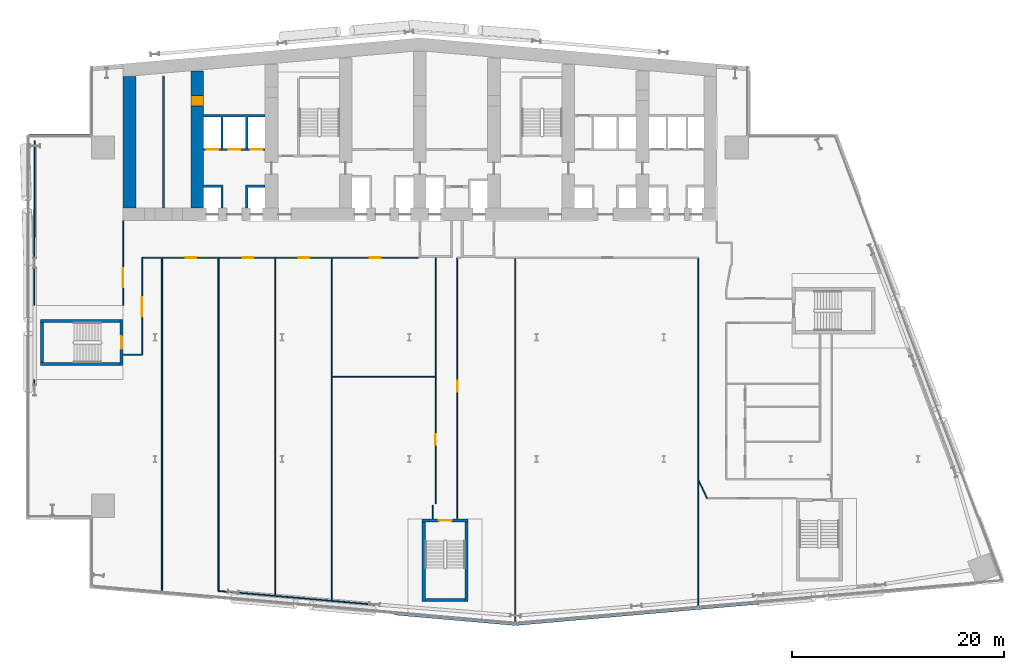
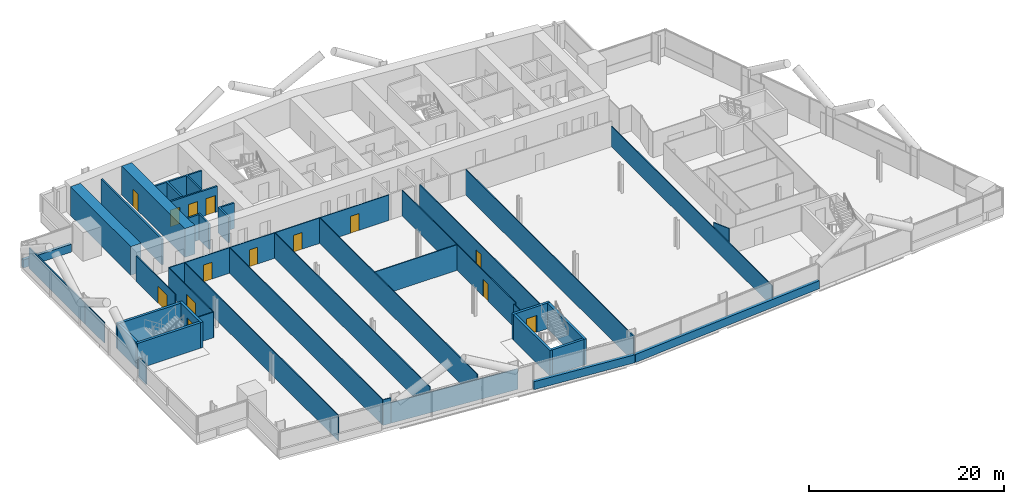
# One storey, part 13 of 24: 38 walls, 14 doors, 14 openings.
"""IFC4 building model written with IfcOpenShell, lengths in metres."""

from ifc_helpers import new_model, si_unit, direction, frame, frame_2d, origin, place, context, subcontext, project, spatial, polyline, rectangle, outline, extrude, material, layer, layer_set, type_object, element, fill, save


model = new_model("IFC4")

# Units and contexts
model_context = context("Model", 3, precision=1e-05, world=origin(), true_north=direction((0.0, 1.0)))
body_context = subcontext(model_context, "Body", "Model", "MODEL_VIEW")
ifc_project = project(units=[si_unit("LENGTHUNIT", "METRE"), si_unit("AREAUNIT", "SQUARE_METRE"), si_unit("VOLUMEUNIT", "CUBIC_METRE"), si_unit("PLANEANGLEUNIT", "RADIAN"), si_unit("MASSUNIT", "GRAM", prefix="KILO")], contexts=[model_context])

# Site, building, storey
site_placement = place(None, origin())
site = spatial("IfcSite", under=ifc_project, at=site_placement, CompositionType="ELEMENT")
building_placement = place(site_placement, origin())
building = spatial("IfcBuilding", under=site, at=building_placement, Name="Wharfspan Tower", CompositionType="ELEMENT")
storey_placement = place(building_placement, frame((0.0, 0.0, 66.699951)))
storey = spatial("IfcBuildingStorey", under=building, at=storey_placement, Name="L13", CompositionType="ELEMENT", Elevation=66.699951)

# Wall, opening, door
ifc_material_1 = material(Name="Gypsum board on steel studs", Category="steel")
ifc_layer_1 = layer(ifc_material_1, 0.100098)
ifc_layer_set_1 = layer_set([ifc_layer_1], Name="Gypsum board on steel studs")
wall_type_1 = type_object("IfcWallType", Name="Compartment wall 100 EI 60", PredefinedType="PARTITIONING", material=ifc_layer_set_1)
wall_1_placement = place(storey_placement, frame((9.0, 26.02002, 0.0), z_axis=(0.0, 0.0, 1.0), x_axis=(0.0, 1.0, 0.0)))
wall_1 = element("IfcWall", 1, at=wall_1_placement, inside=storey, type_object=wall_type_1, Name="Partition L13.w004", PredefinedType="PARTITIONING", context=body_context, shape_type="SweptSolid", body=[
    extrude(rectangle(XDim=7.959961, YDim=0.100098, at=frame_2d((3.97998, 0.0))), origin(), (0.0, 0.0, 1.0), 3.199951),
])
opening_1_placement = place(wall_1_placement, frame((1.699951, 0.0, 0.0)))
opening_1 = element("IfcOpeningElement", 2, at=opening_1_placement, cuts=wall_1, Name="Opening A3-12", PredefinedType="OPENING", context=body_context, shape_type="SweptSolid", body=[
    extrude(rectangle(XDim=1.800049, YDim=2.100098, at=frame_2d((0.899902, 1.050049))), frame((0.0, 0.060059, 0.0), z_axis=(0.0, -1.0, 0.0), x_axis=(1.0, 0.0, 0.0)), (0.0, 0.0, 1.0), 0.120117),
])
ifc_material_2 = material(Name="Fire-rated timber door leaf in steel frame", Category="steel")
door_type_1 = type_object("IfcDoorType", Name="Door 1800 FD30S Double", OperationType="DOUBLE_DOOR_SINGLE_SWING", PredefinedType="DOOR", material=ifc_material_2)
door_1_placement = place(opening_1_placement, origin())
door_1 = element("IfcDoor", 3, at=door_1_placement, inside=storey, type_object=door_type_1, Name="Door A3-12", OperationType="DOUBLE_DOOR_SINGLE_SWING", OverallHeight=2.100098, OverallWidth=1.800049, PredefinedType="DOOR", context=body_context, shape_type="SweptSolid", body=[
    extrude(rectangle(XDim=1.800049, YDim=2.100098, at=frame_2d((0.899902, 1.050049))), frame((0.0, 0.024902, 0.0), z_axis=(0.0, -1.0, 0.0), x_axis=(1.0, 0.0, 0.0)), (0.0, 0.0, 1.0), 0.050049),
])
fill(opening_1, door_1)

# Wall
wall_2_placement = place(storey_placement, frame((9.02002, 21.350098, 0.0), z_axis=(0.0, 0.0, 1.0), x_axis=(1.0, 0.0, 0.0)))
element("IfcWall", 4, at=wall_2_placement, inside=storey, type_object=wall_type_1, Name="Partition L13.w005", PredefinedType="PARTITIONING", context=body_context, shape_type="SweptSolid", body=[
    extrude(rectangle(XDim=1.780029, YDim=0.100098, at=frame_2d((0.890137, 0.0))), origin(), (0.0, 0.0, 1.0), 3.199951),
])

# Wall, opening, door
wall_3_placement = place(storey_placement, frame((10.800049, 21.350098, 0.0), z_axis=(0.0, 0.0, 1.0), x_axis=(0.0, 1.0, 0.0)))
wall_3 = element("IfcWall", 5, at=wall_3_placement, inside=storey, type_object=wall_type_1, Name="Partition L13.w006", PredefinedType="PARTITIONING", context=body_context, shape_type="SweptSolid", body=[
    extrude(rectangle(XDim=9.149902, YDim=0.100098, at=frame_2d((4.574951, 0.0))), origin(), (0.0, 0.0, 1.0), 3.199951),
])
opening_2_placement = place(wall_3_placement, frame((3.620117, 0.0, 0.0)))
opening_2 = element("IfcOpeningElement", 6, at=opening_2_placement, cuts=wall_3, Name="Opening A3-10", PredefinedType="OPENING", context=body_context, shape_type="SweptSolid", body=[
    extrude(rectangle(XDim=1.800049, YDim=2.100098, at=frame_2d((0.899902, 1.050049))), frame((0.0, 0.060059, 0.0), z_axis=(0.0, -1.0, 0.0), x_axis=(1.0, 0.0, 0.0)), (0.0, 0.0, 1.0), 0.120117),
])
door_2_placement = place(opening_2_placement, origin())
door_2 = element("IfcDoor", 7, at=door_2_placement, inside=storey, type_object=door_type_1, Name="Door A3-10", OperationType="DOUBLE_DOOR_SINGLE_SWING", OverallHeight=2.100098, OverallWidth=1.800049, PredefinedType="DOOR", context=body_context, shape_type="SweptSolid", body=[
    extrude(rectangle(XDim=1.800049, YDim=2.100098, at=frame_2d((0.899902, 1.050049))), frame((0.0, 0.024902, 0.0), z_axis=(0.0, -1.0, 0.0), x_axis=(1.0, 0.0, 0.0)), (0.0, 0.0, 1.0), 0.050049),
])
fill(opening_2, door_2)

# Wall, openings, doors
wall_4_placement = place(storey_placement, frame((10.800049, 30.5, 0.0), z_axis=(0.0, 0.0, 1.0), x_axis=(1.0, 0.0, 0.0)))
wall_4 = element("IfcWall", 8, at=wall_4_placement, inside=storey, type_object=wall_type_1, Name="Partition L13.w007", PredefinedType="PARTITIONING", context=body_context, shape_type="SweptSolid", body=[
    extrude(rectangle(XDim=26.050049, YDim=0.100098, at=frame_2d((13.024902, 0.0))), origin(), (0.0, 0.0, 1.0), 3.199951),
])
opening_3_placement = place(wall_4_placement, frame((4.090088, 0.0, 0.0)))
opening_3 = element("IfcOpeningElement", 9, at=opening_3_placement, cuts=wall_4, Name="Opening A3-13", PredefinedType="OPENING", context=body_context, shape_type="SweptSolid", body=[
    extrude(rectangle(XDim=1.0, YDim=2.100098, at=frame_2d((0.5, 1.050049))), frame((0.0, 0.060059, 0.0), z_axis=(0.0, -1.0, 0.0), x_axis=(1.0, 0.0, 0.0)), (0.0, 0.0, 1.0), 0.120117),
])
opening_4_placement = place(wall_4_placement, frame((9.5, 0.0, 0.0)))
opening_4 = element("IfcOpeningElement", 10, at=opening_4_placement, cuts=wall_4, Name="Opening A3-14", PredefinedType="OPENING", context=body_context, shape_type="SweptSolid", body=[
    extrude(rectangle(XDim=1.0, YDim=2.100098, at=frame_2d((0.5, 1.050049))), frame((0.0, 0.060059, 0.0), z_axis=(0.0, -1.0, 0.0), x_axis=(1.0, 0.0, 0.0)), (0.0, 0.0, 1.0), 0.120117),
])
opening_5_placement = place(wall_4_placement, frame((14.754883, 0.0, 0.0)))
opening_5 = element("IfcOpeningElement", 11, at=opening_5_placement, cuts=wall_4, Name="Opening A3-15", PredefinedType="OPENING", context=body_context, shape_type="SweptSolid", body=[
    extrude(rectangle(XDim=1.0, YDim=2.100098, at=frame_2d((0.5, 1.050049))), frame((0.0, 0.060059, 0.0), z_axis=(0.0, -1.0, 0.0), x_axis=(1.0, 0.0, 0.0)), (0.0, 0.0, 1.0), 0.120117),
])
opening_6_placement = place(wall_4_placement, frame((21.48999, 0.0, 0.0)))
opening_6 = element("IfcOpeningElement", 12, at=opening_6_placement, cuts=wall_4, Name="Opening A3-16", PredefinedType="OPENING", context=body_context, shape_type="SweptSolid", body=[
    extrude(rectangle(XDim=1.0, YDim=2.100098, at=frame_2d((0.5, 1.050049))), frame((0.0, 0.060059, 0.0), z_axis=(0.0, -1.0, 0.0), x_axis=(1.0, 0.0, 0.0)), (0.0, 0.0, 1.0), 0.120117),
])
door_type_2 = type_object("IfcDoorType", Name="Door 1000 FD30S Left", OperationType="SINGLE_SWING_LEFT", PredefinedType="DOOR", material=ifc_material_2)
door_3_placement = place(opening_3_placement, origin())
door_3 = element("IfcDoor", 13, at=door_3_placement, inside=storey, type_object=door_type_2, Name="Door A3-13", OperationType="SINGLE_SWING_LEFT", OverallHeight=2.100098, OverallWidth=1.0, PredefinedType="DOOR", context=body_context, shape_type="SweptSolid", body=[
    extrude(rectangle(XDim=1.0, YDim=2.100098, at=frame_2d((0.5, 1.050049))), frame((0.0, 0.024902, 0.0), z_axis=(0.0, -1.0, 0.0), x_axis=(1.0, 0.0, 0.0)), (0.0, 0.0, 1.0), 0.050049),
])
fill(opening_3, door_3)
door_4_placement = place(opening_4_placement, origin())
door_4 = element("IfcDoor", 14, at=door_4_placement, inside=storey, type_object=door_type_2, Name="Door A3-14", OperationType="SINGLE_SWING_LEFT", OverallHeight=2.100098, OverallWidth=1.0, PredefinedType="DOOR", context=body_context, shape_type="SweptSolid", body=[
    extrude(rectangle(XDim=1.0, YDim=2.100098, at=frame_2d((0.5, 1.050049))), frame((0.0, 0.024902, 0.0), z_axis=(0.0, -1.0, 0.0), x_axis=(1.0, 0.0, 0.0)), (0.0, 0.0, 1.0), 0.050049),
])
fill(opening_4, door_4)
door_type_3 = type_object("IfcDoorType", Name="Door 1000 FD30S Right", OperationType="SINGLE_SWING_RIGHT", PredefinedType="DOOR", material=ifc_material_2)
door_5_placement = place(opening_5_placement, origin())
door_5 = element("IfcDoor", 15, at=door_5_placement, inside=storey, type_object=door_type_3, Name="Door A3-15", OperationType="SINGLE_SWING_RIGHT", OverallHeight=2.100098, OverallWidth=1.0, PredefinedType="DOOR", context=body_context, shape_type="SweptSolid", body=[
    extrude(rectangle(XDim=1.0, YDim=2.100098, at=frame_2d((0.5, 1.050049))), frame((0.0, 0.024902, 0.0), z_axis=(0.0, -1.0, 0.0), x_axis=(1.0, 0.0, 0.0)), (0.0, 0.0, 1.0), 0.050049),
])
fill(opening_5, door_5)
door_6_placement = place(opening_6_placement, origin())
door_6 = element("IfcDoor", 16, at=door_6_placement, inside=storey, type_object=door_type_3, Name="Door A3-16", OperationType="SINGLE_SWING_RIGHT", OverallHeight=2.100098, OverallWidth=1.0, PredefinedType="DOOR", context=body_context, shape_type="SweptSolid", body=[
    extrude(rectangle(XDim=1.0, YDim=2.100098, at=frame_2d((0.5, 1.050049))), frame((0.0, 0.024902, 0.0), z_axis=(0.0, -1.0, 0.0), x_axis=(1.0, 0.0, 0.0)), (0.0, 0.0, 1.0), 0.050049),
])
fill(opening_6, door_6)

# Walls
wall_5_placement = place(storey_placement, frame((12.669922, -1.088379, 0.0), z_axis=(0.0, 0.0, 1.0), x_axis=(0.0, 1.0, 0.0)))
element("IfcWall", 17, at=wall_5_placement, inside=storey, type_object=wall_type_1, Name="Partition L13.w008", PredefinedType="PARTITIONING", context=body_context, shape_type="SweptSolid", body=[
    extrude(rectangle(XDim=31.588379, YDim=0.100098, at=frame_2d((15.794189, 0.0))), origin(), (0.0, 0.0, 1.0), 3.199951),
])
wall_6_placement = place(storey_placement, frame((18.0, -0.939941, 0.0), z_axis=(0.0, 0.0, 1.0), x_axis=(0.0, 1.0, 0.0)))
element("IfcWall", 18, at=wall_6_placement, inside=storey, type_object=wall_type_1, Name="Partition L13.w009", PredefinedType="PARTITIONING", context=body_context, shape_type="SweptSolid", body=[
    extrude(rectangle(XDim=31.439941, YDim=0.100098, at=frame_2d((15.719971, 0.0))), origin(), (0.0, 0.0, 1.0), 3.199951),
])
wall_7_placement = place(storey_placement, frame((23.334961, -1.409912, 0.0), z_axis=(0.0, 0.0, 1.0), x_axis=(0.0, 1.0, 0.0)))
element("IfcWall", 19, at=wall_7_placement, inside=storey, type_object=wall_type_1, Name="Partition L13.w011", PredefinedType="PARTITIONING", context=body_context, shape_type="SweptSolid", body=[
    extrude(rectangle(XDim=31.909912, YDim=0.100098, at=frame_2d((15.955078, 0.0))), origin(), (0.0, 0.0, 1.0), 3.199951),
])
wall_8_placement = place(storey_placement, frame((28.669922, -1.875, 0.0), z_axis=(0.0, 0.0, 1.0), x_axis=(0.0, 1.0, 0.0)))
element("IfcWall", 20, at=wall_8_placement, inside=storey, type_object=wall_type_1, Name="Partition L13.w012", PredefinedType="PARTITIONING", context=body_context, shape_type="SweptSolid", body=[
    extrude(rectangle(XDim=32.375, YDim=0.100098, at=frame_2d((16.1875, 0.0))), origin(), (0.0, 0.0, 1.0), 3.199951),
])
wall_9_placement = place(storey_placement, frame((28.669922, 19.284912, 0.0), z_axis=(0.0, 0.0, 1.0), x_axis=(1.0, 0.0, 0.0)))
element("IfcWall", 21, at=wall_9_placement, inside=storey, type_object=wall_type_1, Name="Partition L13.w013", PredefinedType="PARTITIONING", context=body_context, shape_type="SweptSolid", body=[
    extrude(rectangle(XDim=9.810059, YDim=0.100098, at=frame_2d((4.905029, 0.0))), origin(), (0.0, 0.0, 1.0), 3.199951),
])
wall_10_placement = place(storey_placement, frame((38.22998, 5.880615, 0.0), z_axis=(0.0, 0.0, 1.0), x_axis=(0.0, 1.0, 0.0)))
element("IfcWall", 22, at=wall_10_placement, inside=storey, type_object=wall_type_1, Name="Partition L13.w015", PredefinedType="PARTITIONING", context=body_context, shape_type="SweptSolid", body=[
    extrude(rectangle(XDim=1.279297, YDim=0.100098, at=frame_2d((0.639648, 0.0))), origin(), (0.0, 0.0, 1.0), 3.199951),
])

# Wall, opening, door
wall_11_placement = place(storey_placement, frame((38.47998, 7.280029, 0.0), z_axis=(0.0, 0.0, 1.0), x_axis=(0.0, 1.0, 0.0)))
wall_11 = element("IfcWall", 23, at=wall_11_placement, inside=storey, type_object=wall_type_1, Name="Partition L13.w016", PredefinedType="PARTITIONING", context=body_context, shape_type="SweptSolid", body=[
    extrude(rectangle(XDim=23.219971, YDim=0.100098, at=frame_2d((11.609863, 0.0))), origin(), (0.0, 0.0, 1.0), 3.199951),
])
opening_7_placement = place(wall_11_placement, frame((5.580078, 0.0, 0.0)))
opening_7 = element("IfcOpeningElement", 24, at=opening_7_placement, cuts=wall_11, Name="Opening A3-05", PredefinedType="OPENING", context=body_context, shape_type="SweptSolid", body=[
    extrude(rectangle(XDim=1.0, YDim=2.100098, at=frame_2d((0.5, 1.050049))), frame((0.0, 0.060059, 0.0), z_axis=(0.0, -1.0, 0.0), x_axis=(1.0, 0.0, 0.0)), (0.0, 0.0, 1.0), 0.120117),
])
door_7_placement = place(opening_7_placement, origin())
door_7 = element("IfcDoor", 25, at=door_7_placement, inside=storey, type_object=door_type_2, Name="Door A3-05", OperationType="SINGLE_SWING_LEFT", OverallHeight=2.100098, OverallWidth=1.0, PredefinedType="DOOR", context=body_context, shape_type="SweptSolid", body=[
    extrude(rectangle(XDim=1.0, YDim=2.100098, at=frame_2d((0.5, 1.050049))), frame((0.0, 0.024902, 0.0), z_axis=(0.0, -1.0, 0.0), x_axis=(1.0, 0.0, 0.0)), (0.0, 0.0, 1.0), 0.050049),
])
fill(opening_7, door_7)

wall_12_placement = place(storey_placement, frame((40.534912, 5.880615, 0.0), z_axis=(0.0, 0.0, 1.0), x_axis=(0.0, 1.0, 0.0)))
wall_12 = element("IfcWall", 26, at=wall_12_placement, inside=storey, type_object=wall_type_1, Name="Partition L13.w017", PredefinedType="PARTITIONING", context=body_context, shape_type="SweptSolid", body=[
    extrude(rectangle(XDim=24.619385, YDim=0.100098, at=frame_2d((12.30957, 0.0))), origin(), (0.0, 0.0, 1.0), 3.199951),
])
opening_8_placement = place(wall_12_placement, frame((11.999512, 0.0, 0.0)))
opening_8 = element("IfcOpeningElement", 27, at=opening_8_placement, cuts=wall_12, Name="Opening A3-08", PredefinedType="OPENING", context=body_context, shape_type="SweptSolid", body=[
    extrude(rectangle(XDim=1.0, YDim=2.100098, at=frame_2d((0.5, 1.050049))), frame((0.0, 0.060059, 0.0), z_axis=(0.0, -1.0, 0.0), x_axis=(1.0, 0.0, 0.0)), (0.0, 0.0, 1.0), 0.120117),
])
door_8_placement = place(opening_8_placement, origin())
door_8 = element("IfcDoor", 28, at=door_8_placement, inside=storey, type_object=door_type_3, Name="Door A3-08", OperationType="SINGLE_SWING_RIGHT", OverallHeight=2.100098, OverallWidth=1.0, PredefinedType="DOOR", context=body_context, shape_type="SweptSolid", body=[
    extrude(rectangle(XDim=1.0, YDim=2.100098, at=frame_2d((0.5, 1.050049))), frame((0.0, 0.024902, 0.0), z_axis=(0.0, -1.0, 0.0), x_axis=(1.0, 0.0, 0.0)), (0.0, 0.0, 1.0), 0.050049),
])
fill(opening_8, door_8)

# Walls
wall_13_placement = place(storey_placement, frame((46.0, -4.004395, 0.0), z_axis=(0.0, 0.0, 1.0), x_axis=(0.0, 1.0, 0.0)))
element("IfcWall", 29, at=wall_13_placement, inside=storey, type_object=wall_type_1, Name="Partition L13.w019", PredefinedType="PARTITIONING", context=body_context, shape_type="SweptSolid", body=[
    extrude(rectangle(XDim=34.504395, YDim=0.100098, at=frame_2d((17.252197, 0.0))), origin(), (0.0, 0.0, 1.0), 3.199951),
])
wall_14_placement = place(storey_placement, frame((63.25, -2.495117, 0.0), z_axis=(0.0, 0.0, 1.0), x_axis=(0.0, 1.0, 0.0)))
element("IfcWall", 30, at=wall_14_placement, inside=storey, type_object=wall_type_1, Name="Partition L13.w020", PredefinedType="PARTITIONING", context=body_context, shape_type="SweptSolid", body=[
    extrude(rectangle(XDim=32.995117, YDim=0.100098, at=frame_2d((16.497559, 0.0))), origin(), (0.0, 0.0, 1.0), 2.580078),
])
wall_15_placement = place(storey_placement, frame((64.100098, 7.790039, 0.0), z_axis=(0.0, 0.0, 1.0), x_axis=(-0.428035, 0.903766, 0.0)))
element("IfcWall", 31, at=wall_15_placement, inside=storey, type_object=wall_type_1, Name="Partition L13.w022", PredefinedType="PARTITIONING", context=body_context, shape_type="SweptSolid", body=[
    extrude(rectangle(XDim=1.986084, YDim=0.100098, at=frame_2d((0.993164, 0.0))), origin(), (0.0, 0.0, 1.0), 3.199951),
])
ifc_material_3 = material(Name="Calcium silicate masonry", Category="masonry")
ifc_layer_2 = layer(ifc_material_3, 0.199951)
ifc_layer_set_2 = layer_set([ifc_layer_2], Name="Calcium silicate masonry")
wall_type_2 = type_object("IfcWallType", Name="Core room wall 200", PredefinedType="PARTITIONING", material=ifc_layer_set_2)
wall_16_placement = place(storey_placement, frame((12.800049, 35.199951, 0.0), z_axis=(0.0, 0.0, 1.0), x_axis=(0.0, 1.0, 0.0)))
element("IfcWall", 32, at=wall_16_placement, inside=storey, type_object=wall_type_2, Name="sw:L13:RM0", PredefinedType="PARTITIONING", context=body_context, shape_type="SweptSolid", body=[
    extrude(rectangle(XDim=12.467773, YDim=0.199951, at=frame_2d((6.233887, 0.0))), origin(), (0.0, 0.0, 1.0), 3.199951),
])
ifc_material_4 = material(Name="Concrete C70/85", Category="concrete")
ifc_layer_3 = layer(ifc_material_4, 1.199951)
ifc_layer_set_3 = layer_set([ifc_layer_3], Name="Concrete C70/85")
wall_type_3 = type_object("IfcWallType", Name="Core wall 1200 C70/85", PredefinedType="SHEAR", material=ifc_layer_set_3)
wall_17_placement = place(storey_placement, frame((9.600098, 35.199951, 0.0), z_axis=(0.0, 0.0, 1.0), x_axis=(0.0, 1.0, 0.0)))
element("IfcWall", 33, at=wall_17_placement, inside=storey, type_object=wall_type_3, Name="Core cross wall EW0 L13", PredefinedType="SHEAR", context=body_context, shape_type="SweptSolid", body=[
    extrude(rectangle(XDim=12.382812, YDim=1.199951, at=frame_2d((6.191406, 0.0))), origin(), (0.0, 0.0, 1.0), 3.600098),
])

# Wall, opening, door
wall_18_placement = place(storey_placement, frame((16.0, 35.199951, 0.0), z_axis=(0.0, 0.0, 1.0), x_axis=(0.0, 1.0, 0.0)))
wall_18 = element("IfcWall", 34, at=wall_18_placement, inside=storey, type_object=wall_type_3, Name="Core cross wall X1 L13", PredefinedType="SHEAR", context=body_context, shape_type="SweptSolid", body=[
    extrude(rectangle(XDim=12.942871, YDim=1.199951, at=frame_2d((6.471436, 0.0))), origin(), (0.0, 0.0, 1.0), 3.600098),
])
opening_9_placement = place(wall_18_placement, frame((9.600098, 0.0, 0.0)))
opening_9 = element("IfcOpeningElement", 35, at=opening_9_placement, cuts=wall_18, Name="Opening CR13.1", PredefinedType="OPENING", context=body_context, shape_type="SweptSolid", body=[
    extrude(rectangle(XDim=1.0, YDim=2.100098, at=frame_2d((0.5, 1.050049))), frame((0.0, 0.609863, 0.0), z_axis=(0.0, -1.0, 0.0), x_axis=(1.0, 0.0, 0.0)), (0.0, 0.0, 1.0), 1.219971),
])
ifc_material_5 = material(Name="Steel door leaf", Category="steel")
door_type_4 = type_object("IfcDoorType", Name="Core room door 1000x2100", OperationType="SINGLE_SWING_LEFT", PredefinedType="DOOR", material=ifc_material_5)
door_9_placement = place(opening_9_placement, origin())
door_9 = element("IfcDoor", 36, at=door_9_placement, inside=storey, type_object=door_type_4, Name="xr:L13:1", OperationType="SINGLE_SWING_RIGHT", OverallHeight=2.100098, OverallWidth=1.0, PredefinedType="DOOR", context=body_context, shape_type="SweptSolid", body=[
    extrude(rectangle(XDim=1.0, YDim=2.100098, at=frame_2d((0.5, 1.050049))), frame((0.0, 0.599609, 0.0), z_axis=(0.0, -1.0, 0.0), x_axis=(1.0, 0.0, 0.0)), (0.0, 0.0, 1.0), 1.199463),
])
fill(opening_9, door_9)

# Wall, openings, doors
ifc_material_6 = material(Name="Concrete C30/37", Category="concrete")
ifc_layer_4 = layer(ifc_material_6, 0.199951)
ifc_layer_set_4 = layer_set([ifc_layer_4], Name="Concrete C30/37")
wall_type_4 = type_object("IfcWallType", Name="Lift shaft wall 200", PredefinedType="PARTITIONING", material=ifc_layer_set_4)
wall_19_placement = place(storey_placement, frame((16.600098, 40.699951, 0.0), z_axis=(0.0, 0.0, 1.0), x_axis=(1.0, 0.0, 0.0)))
wall_19 = element("IfcWall", 37, at=wall_19_placement, inside=storey, type_object=wall_type_4, Name="sw:L13:RF1", PredefinedType="PARTITIONING", context=body_context, shape_type="SweptSolid", body=[
    extrude(rectangle(XDim=5.799805, YDim=0.199951, at=frame_2d((2.899902, 0.0))), origin(), (0.0, 0.0, 1.0), 3.199951),
])
opening_10_placement = place(wall_19_placement, frame((0.266602, 0.0, 0.0)))
opening_10 = element("IfcOpeningElement", 38, at=opening_10_placement, cuts=wall_19, Name="Opening LD.LA3.L13", PredefinedType="OPENING", context=body_context, shape_type="SweptSolid", body=[
    extrude(rectangle(XDim=1.100098, YDim=2.100098, at=frame_2d((0.550049, 1.050049))), frame((0.0, 0.109863, 0.0), z_axis=(0.0, -1.0, 0.0), x_axis=(1.0, 0.0, 0.0)), (0.0, 0.0, 1.0), 0.219971),
])
opening_11_placement = place(wall_19_placement, frame((2.350098, 0.0, 0.0)))
opening_11 = element("IfcOpeningElement", 39, at=opening_11_placement, cuts=wall_19, Name="Opening LD.LA4.L13", PredefinedType="OPENING", context=body_context, shape_type="SweptSolid", body=[
    extrude(rectangle(XDim=1.100098, YDim=2.100098, at=frame_2d((0.550049, 1.050049))), frame((0.0, 0.109863, 0.0), z_axis=(0.0, -1.0, 0.0), x_axis=(1.0, 0.0, 0.0)), (0.0, 0.0, 1.0), 0.219971),
])
opening_12_placement = place(wall_19_placement, frame((4.43335, 0.0, 0.0)))
opening_12 = element("IfcOpeningElement", 40, at=opening_12_placement, cuts=wall_19, Name="Opening LD.LA5.L13", PredefinedType="OPENING", context=body_context, shape_type="SweptSolid", body=[
    extrude(rectangle(XDim=1.100098, YDim=2.100098, at=frame_2d((0.550049, 1.050049))), frame((0.0, 0.109863, 0.0), z_axis=(0.0, -1.0, 0.0), x_axis=(1.0, 0.0, 0.0)), (0.0, 0.0, 1.0), 0.219971),
])
ifc_material_7 = material(Name="Stainless steel", Category="steel")
door_type_5 = type_object("IfcDoorType", Name="Lift landing door 1100x2100", OperationType="DOUBLE_DOOR_SLIDING", PredefinedType="DOOR", material=ifc_material_7)
door_10_placement = place(opening_10_placement, origin())
door_10 = element("IfcDoor", 41, at=door_10_placement, inside=storey, type_object=door_type_5, Name="Landing door LA3 L13", OperationType="DOUBLE_DOOR_SLIDING", OverallHeight=2.100098, OverallWidth=1.100098, PredefinedType="DOOR", context=body_context, shape_type="SweptSolid", body=[
    extrude(rectangle(XDim=1.100098, YDim=2.100098, at=frame_2d((0.550049, 1.050049))), frame((0.0, 0.024902, 0.0), z_axis=(0.0, -1.0, 0.0), x_axis=(1.0, 0.0, 0.0)), (0.0, 0.0, 1.0), 0.050049),
])
fill(opening_10, door_10)
door_11_placement = place(opening_11_placement, origin())
door_11 = element("IfcDoor", 42, at=door_11_placement, inside=storey, type_object=door_type_5, Name="Landing door LA4 L13", OperationType="DOUBLE_DOOR_SLIDING", OverallHeight=2.100098, OverallWidth=1.100098, PredefinedType="DOOR", context=body_context, shape_type="SweptSolid", body=[
    extrude(rectangle(XDim=1.100098, YDim=2.100098, at=frame_2d((0.550049, 1.050049))), frame((0.0, 0.024902, 0.0), z_axis=(0.0, -1.0, 0.0), x_axis=(1.0, 0.0, 0.0)), (0.0, 0.0, 1.0), 0.050049),
])
fill(opening_11, door_11)
door_12_placement = place(opening_12_placement, origin())
door_12 = element("IfcDoor", 43, at=door_12_placement, inside=storey, type_object=door_type_5, Name="Landing door LA5 L13", OperationType="DOUBLE_DOOR_SLIDING", OverallHeight=2.100098, OverallWidth=1.100098, PredefinedType="DOOR", context=body_context, shape_type="SweptSolid", body=[
    extrude(rectangle(XDim=1.100098, YDim=2.100098, at=frame_2d((0.550049, 1.050049))), frame((0.0, 0.024902, 0.0), z_axis=(0.0, -1.0, 0.0), x_axis=(1.0, 0.0, 0.0)), (0.0, 0.0, 1.0), 0.050049),
])
fill(opening_12, door_12)

# Walls
wall_20_placement = place(storey_placement, frame((0.0, 0.0, -0.000244)))
element("IfcWall", 44, at=wall_20_placement, inside=storey, type_object=wall_type_4, Name="sw:L13:FM1.0", PredefinedType="PARTITIONING", context=body_context, shape_type="SweptSolid", body=[
    extrude(outline(polyline([(18.233398, 37.149902), (16.600098, 37.149902), (16.600098, 37.350098), (18.233398, 37.350098), (18.43335, 37.350098), (18.43335, 35.199951), (18.233398, 35.199951), (18.233398, 37.149902)])), origin(), (0.0, 0.0, 1.0), 3.200195),
])
wall_21_placement = place(storey_placement, frame((0.0, 0.0, -0.000244)))
element("IfcWall", 45, at=wall_21_placement, inside=storey, type_object=wall_type_4, Name="sw:L13:FM1.1", PredefinedType="PARTITIONING", context=body_context, shape_type="SweptSolid", body=[
    extrude(outline(polyline([(20.56665, 37.350098), (20.766602, 37.350098), (22.399902, 37.350098), (22.399902, 37.149902), (20.766602, 37.149902), (20.766602, 35.199951), (20.56665, 35.199951), (20.56665, 37.350098)])), origin(), (0.0, 0.0, 1.0), 3.200195),
])
wall_22_placement = place(storey_placement, frame((0.0, 0.0, -0.000244)))
element("IfcWall", 46, at=wall_22_placement, inside=storey, type_object=wall_type_4, Name="sw:L13:RM1.0", PredefinedType="PARTITIONING", context=body_context, shape_type="SweptSolid", body=[
    extrude(outline(polyline([(18.43335, 40.800049), (18.233398, 40.800049), (18.233398, 43.800049), (16.600098, 43.800049), (16.600098, 44.0), (22.399902, 44.0), (22.399902, 43.800049), (20.766602, 43.800049), (20.766602, 40.800049), (20.56665, 40.800049), (20.56665, 43.800049), (18.43335, 43.800049), (18.43335, 40.800049)])), origin(), (0.0, 0.0, 1.0), 3.200195),
])
ifc_layer_5 = layer(ifc_material_1, 0.100098)
ifc_layer_set_5 = layer_set([ifc_layer_5], Name="Gypsum board on steel studs")
wall_type_5 = type_object("IfcWallType", Name="Partition 100", PredefinedType="PARTITIONING", material=ifc_layer_set_5)
wall_23_placement = place(storey_placement, frame((0.629883, 17.5, 0.0), z_axis=(0.0, 0.0, 1.0), x_axis=(0.0, 1.0, 0.0)))
element("IfcWall", 47, at=wall_23_placement, inside=storey, type_object=wall_type_5, Name="Partition L13.w001", PredefinedType="PARTITIONING", context=body_context, shape_type="SweptSolid", body=[
    extrude(rectangle(XDim=1.47998, YDim=0.100098, at=frame_2d((0.73999, 0.0))), origin(), (0.0, 0.0, 1.0), 2.580078),
])
wall_24_placement = place(storey_placement, frame((0.629883, 26.02002, 0.0), z_axis=(0.0, 0.0, 1.0), x_axis=(0.0, 1.0, 0.0)))
element("IfcWall", 48, at=wall_24_placement, inside=storey, type_object=wall_type_5, Name="Partition L13.w002", PredefinedType="PARTITIONING", context=body_context, shape_type="SweptSolid", body=[
    extrude(rectangle(XDim=3.97998, YDim=0.100098, at=frame_2d((1.98999, 0.0))), origin(), (0.0, 0.0, 1.0), 2.580078),
])
wall_25_placement = place(storey_placement, frame((0.629883, 30.0, 0.0), z_axis=(0.0, 0.0, 1.0), x_axis=(0.00218, 0.999994, 0.0)))
element("IfcWall", 49, at=wall_25_placement, inside=storey, type_object=wall_type_5, Name="Partition L13.w003", PredefinedType="PARTITIONING", context=body_context, shape_type="SweptSolid", body=[
    extrude(rectangle(XDim=11.534912, YDim=0.100098, at=frame_2d((5.767578, 0.0))), origin(), (0.0, 0.0, 1.0), 2.580078),
])
wall_26_placement = place(storey_placement, frame((18.889893, -1.02002, 0.0), z_axis=(0.0, 0.0, 1.0), x_axis=(-0.996474, 0.083928, 0.0)))
element("IfcWall", 50, at=wall_26_placement, inside=storey, type_object=wall_type_5, Name="Partition L13.w010", PredefinedType="PARTITIONING", context=body_context, shape_type="SweptSolid", body=[
    extrude(rectangle(XDim=0.893066, YDim=0.100098, at=frame_2d((0.446533, 0.0))), origin(), (0.0, 0.0, 1.0), 3.199951),
])
wall_27_placement = place(storey_placement, frame((33.219971, -2.274902, 0.0), z_axis=(0.0, 0.0, 1.0), x_axis=(-0.99616, 0.087559, 0.0)))
element("IfcWall", 51, at=wall_27_placement, inside=storey, type_object=wall_type_5, Name="Partition L13.w014", PredefinedType="PARTITIONING", context=body_context, shape_type="SweptSolid", body=[
    extrude(rectangle(XDim=14.384766, YDim=0.100098, at=frame_2d((7.192383, 0.0))), origin(), (0.0, 0.0, 1.0), 2.580078),
])
ifc_material_8 = material(Name="Concrete C40/50", Category="concrete")
ifc_layer_6 = layer(ifc_material_8, 0.350098)
ifc_layer_set_6 = layer_set([ifc_layer_6], Name="Concrete C40/50")
wall_type_6 = type_object("IfcWallType", Name="SPANDREL EXPOSED CONCRETE 350", PredefinedType="SOLIDWALL", material=ifc_layer_set_6)
wall_28_placement = place(storey_placement, frame((34.60083, -3.032227, 0.0), z_axis=(0.0, 0.0, 1.0), x_axis=(0.996193, -0.087148, 0.0)))
element("IfcWall", 52, at=wall_28_placement, inside=storey, type_object=wall_type_6, Name="Spandrel upstand L13 S1 2", PredefinedType="SOLIDWALL", context=body_context, shape_type="SweptSolid", body=[
    extrude(rectangle(XDim=11.458008, YDim=0.350098, at=frame_2d((5.729004, 0.0))), origin(), (0.0, 0.0, 1.0), 1.0),
])
wall_29_placement = place(storey_placement, frame((46.04541, -4.025635, 0.0), z_axis=(0.0, 0.0, 1.0), x_axis=(0.99619, 0.087163, 0.0)))
element("IfcWall", 53, at=wall_29_placement, inside=storey, type_object=wall_type_6, Name="Spandrel upstand L13 S2 1", PredefinedType="SOLIDWALL", context=body_context, shape_type="SweptSolid", body=[
    extrude(rectangle(XDim=23.012695, YDim=0.350098, at=frame_2d((11.506348, 0.0))), origin(), (0.0, 0.0, 1.0), 1.0),
])
wall_30_placement = place(storey_placement, frame((5.820068, 42.004883, 0.0), z_axis=(0.0, 0.0, 1.0), x_axis=(-1.0, 0.0, 0.0)))
element("IfcWall", 54, at=wall_30_placement, inside=storey, type_object=wall_type_6, Name="Spandrel upstand L13 NRW-H", PredefinedType="SOLIDWALL", context=body_context, shape_type="SweptSolid", body=[
    extrude(rectangle(XDim=5.699951, YDim=0.350098, at=frame_2d((2.850098, 0.0))), origin(), (0.0, 0.0, 1.0), 1.0),
])

# Wall, opening, door
ifc_layer_7 = layer(ifc_material_8, 0.300049)
ifc_layer_set_7 = layer_set([ifc_layer_7], Name="Concrete C40/50")
wall_type_7 = type_object("IfcWallType", Name="Stair core wall 300", PredefinedType="SHEAR", material=ifc_layer_set_7)
wall_31_placement = place(storey_placement, frame((8.850098, 20.324951, 0.0), z_axis=(0.0, 0.0, 1.0), x_axis=(0.0, 1.0, 0.0)))
wall_31 = element("IfcWall", 55, at=wall_31_placement, inside=storey, type_object=wall_type_7, Name="ST3 stair enclosure wall L13", PredefinedType="SHEAR", context=body_context, shape_type="SweptSolid", body=[
    extrude(rectangle(XDim=4.350098, YDim=0.300049, at=frame_2d((2.175049, 0.0))), origin(), (0.0, 0.0, 1.0), 3.199951),
])
opening_13_placement = place(wall_31_placement, frame((1.574951, 0.0, 0.0)))
opening_13 = element("IfcOpeningElement", 56, at=opening_13_placement, cuts=wall_31, Name="Opening SD3.L13", PredefinedType="OPENING", context=body_context, shape_type="SweptSolid", body=[
    extrude(rectangle(XDim=1.199951, YDim=2.100098, at=frame_2d((0.600098, 1.050049))), frame((0.0, 0.159912, 0.0), z_axis=(0.0, -1.0, 0.0), x_axis=(1.0, 0.0, 0.0)), (0.0, 0.0, 1.0), 0.320068),
])
door_type_6 = type_object("IfcDoorType", Name="Stair door 1200x2100", OperationType="SINGLE_SWING_LEFT", PredefinedType="DOOR", material=ifc_material_5)
door_13_placement = place(opening_13_placement, origin())
door_13 = element("IfcDoor", 57, at=door_13_placement, inside=storey, type_object=door_type_6, Name="sd:L13:ST3z1", OperationType="SINGLE_SWING_RIGHT", OverallHeight=2.100098, OverallWidth=1.199951, PredefinedType="DOOR", context=body_context, shape_type="SweptSolid", body=[
    extrude(rectangle(XDim=1.199951, YDim=2.100098, at=frame_2d((0.600098, 1.050049))), frame((0.0, 0.024902, 0.0), z_axis=(0.0, -1.0, 0.0), x_axis=(1.0, 0.0, 0.0)), (0.0, 0.0, 1.0), 0.050049),
])
fill(opening_13, door_13)

wall_32_placement = place(storey_placement, frame((37.208252, 5.710693, 0.0), z_axis=(0.0, 0.0, 1.0), x_axis=(1.0, 0.0, 0.0)))
wall_32 = element("IfcWall", 58, at=wall_32_placement, inside=storey, type_object=wall_type_7, Name="ST4 stair enclosure wall L13", PredefinedType="SHEAR", context=body_context, shape_type="SweptSolid", body=[
    extrude(rectangle(XDim=4.350098, YDim=0.300049, at=frame_2d((2.175049, 0.0))), origin(), (0.0, 0.0, 1.0), 3.199951),
])
opening_14_placement = place(wall_32_placement, frame((1.574951, 0.0, 0.0)))
opening_14 = element("IfcOpeningElement", 59, at=opening_14_placement, cuts=wall_32, Name="Opening SD4.L13", PredefinedType="OPENING", context=body_context, shape_type="SweptSolid", body=[
    extrude(rectangle(XDim=1.199951, YDim=2.100098, at=frame_2d((0.600098, 1.050049))), frame((0.0, 0.159912, 0.0), z_axis=(0.0, -1.0, 0.0), x_axis=(1.0, 0.0, 0.0)), (0.0, 0.0, 1.0), 0.320068),
])
door_14_placement = place(opening_14_placement, origin())
door_14 = element("IfcDoor", 60, at=door_14_placement, inside=storey, type_object=door_type_6, Name="sd:L13:ST4z1", OperationType="SINGLE_SWING_RIGHT", OverallHeight=2.100098, OverallWidth=1.199951, PredefinedType="DOOR", context=body_context, shape_type="SweptSolid", body=[
    extrude(rectangle(XDim=1.199951, YDim=2.100098, at=frame_2d((0.600098, 1.050049))), frame((0.0, 0.024902, 0.0), z_axis=(0.0, -1.0, 0.0), x_axis=(1.0, 0.0, 0.0)), (0.0, 0.0, 1.0), 0.050049),
])
fill(opening_14, door_14)

# Walls
for number, where, z_axis, x_axis, name in (
    (61, (1.199951, 20.475098, 0.0), (0.0, 0.0, 1.0), (1.0, 0.0, 0.0), "ST3 stair enclosure wall L13"),
    (62, (1.199951, 24.524902, 0.0), (0.0, 0.0, 1.0), (1.0, 0.0, 0.0), "ST3 stair enclosure wall L13"),
):
    element("IfcWall", number, at=place(storey_placement, frame(where, z_axis=z_axis, x_axis=x_axis)), inside=storey, type_object=wall_type_7, Name=name, PredefinedType="SHEAR", context=body_context, shape_type="SweptSolid", body=[
        extrude(rectangle(XDim=7.5, YDim=0.300049, at=frame_2d((3.75, 0.0))), origin(), (0.0, 0.0, 1.0), 3.199951),
    ])
wall_33_placement = place(storey_placement, frame((1.350098, 20.625, 0.0), z_axis=(0.0, 0.0, 1.0), x_axis=(0.0, 1.0, 0.0)))
element("IfcWall", 63, at=wall_33_placement, inside=storey, type_object=wall_type_7, Name="ST3 stair enclosure wall L13", PredefinedType="SHEAR", context=body_context, shape_type="SweptSolid", body=[
    extrude(rectangle(XDim=3.75, YDim=0.300049, at=frame_2d((1.875, 0.0))), origin(), (0.0, 0.0, 1.0), 3.199951),
])
for number, where, z_axis, x_axis, name in (
    (64, (37.358398, -1.939453, 0.0), (0.0, 0.0, 1.0), (0.0, 1.0, 0.0), "ST4 stair enclosure wall L13"),
    (65, (41.408203, -1.939453, 0.0), (0.0, 0.0, 1.0), (0.0, 1.0, 0.0), "ST4 stair enclosure wall L13"),
):
    element("IfcWall", number, at=place(storey_placement, frame(where, z_axis=z_axis, x_axis=x_axis)), inside=storey, type_object=wall_type_7, Name=name, PredefinedType="SHEAR", context=body_context, shape_type="SweptSolid", body=[
        extrude(rectangle(XDim=7.5, YDim=0.300049, at=frame_2d((3.75, 0.0))), origin(), (0.0, 0.0, 1.0), 3.199951),
    ])
wall_34_placement = place(storey_placement, frame((37.508301, -1.789307, 0.0), z_axis=(0.0, 0.0, 1.0), x_axis=(1.0, 0.0, 0.0)))
element("IfcWall", 66, at=wall_34_placement, inside=storey, type_object=wall_type_7, Name="ST4 stair enclosure wall L13", PredefinedType="SHEAR", context=body_context, shape_type="SweptSolid", body=[
    extrude(rectangle(XDim=3.75, YDim=0.300049, at=frame_2d((1.875, 0.0))), origin(), (0.0, 0.0, 1.0), 3.199951),
])

save(model, "model.ifc")
